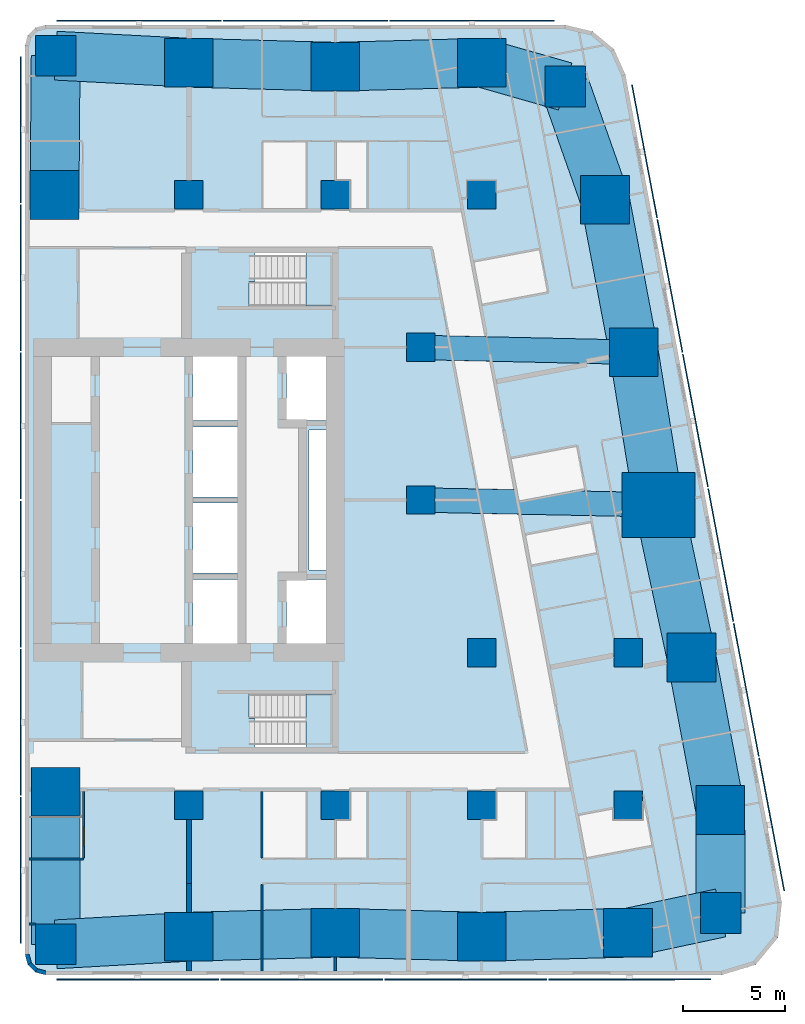
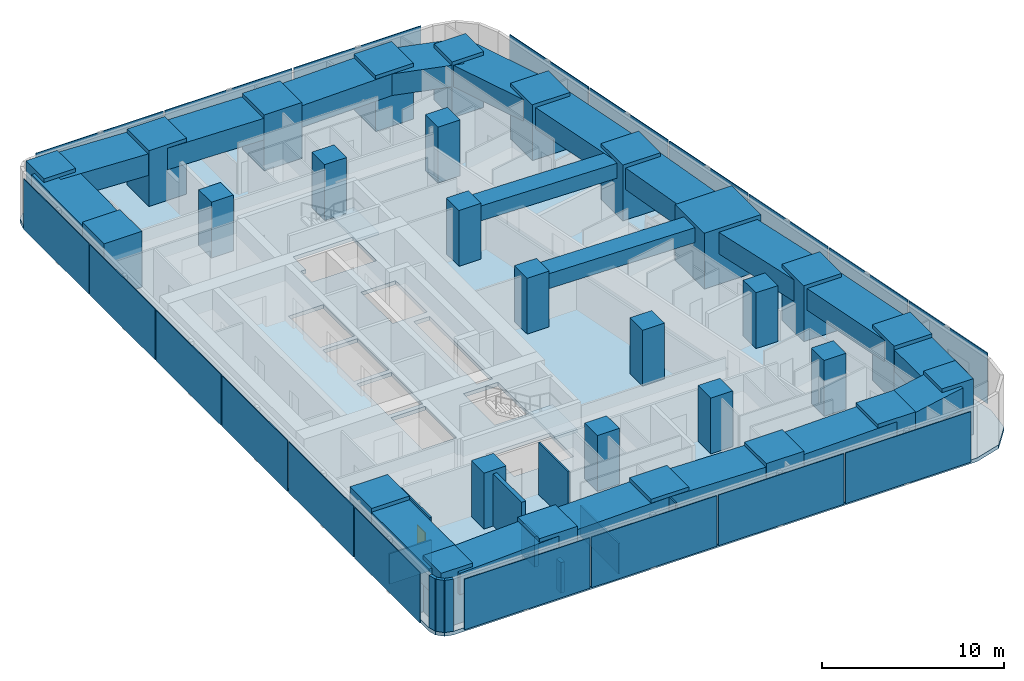
# One storey, part 1 of 10: 29 columns, 19 beams, 19 plates, 12 walls, 3 slabs, 1 door, 1 opening, 2 elements without a shape of their own.
"""IFC4 building model written with IfcOpenShell, lengths in metres."""

from ifc_helpers import new_model, si_unit, direction, frame, frame_2d, origin, origin_2d, place, context, subcontext, project, spatial, polyline, rectangle, outline, extrude, material, layer, layer_set, material_profile, profile_set, type_object, element, fill, aggregate, save


model = new_model("IFC4")

# Units and contexts
model_context = context("Model", 3, precision=1e-05, world=origin(), true_north=direction((0.0, 1.0)))
body_context = subcontext(model_context, "Body", "Model", "MODEL_VIEW")
ifc_project = project(units=[si_unit("LENGTHUNIT", "METRE"), si_unit("AREAUNIT", "SQUARE_METRE"), si_unit("VOLUMEUNIT", "CUBIC_METRE"), si_unit("PLANEANGLEUNIT", "RADIAN"), si_unit("MASSUNIT", "GRAM", prefix="KILO")], contexts=[model_context])

# Site, building, storey
site_placement = place(None, origin())
site = spatial("IfcSite", under=ifc_project, at=site_placement, CompositionType="ELEMENT")
building_placement = place(site_placement, origin())
building = spatial("IfcBuilding", under=site, at=building_placement, Name="Sheger Commons Tower", CompositionType="ELEMENT")
storey_placement = place(building_placement, frame((0.0, 0.0, 234.949951171875)))
storey = spatial("IfcBuildingStorey", under=building, at=storey_placement, Name="L60", CompositionType="ELEMENT", Elevation=234.949951171875)

# Columns
ifc_material_1 = material(Name="Concrete C50/60", Category="concrete")
ifc_material_profile_1 = material_profile(ifc_material_1, rectangle(XDim=3.60009765625, YDim=3.199951171875, at=origin_2d()), Name="RC 3600x3200")
ifc_profile_set_1 = profile_set([ifc_material_profile_1], Name="Concrete C50/60")
column_type_1 = type_object("IfcColumnType", Name="COLUMN PIER RC 3600x3200", PredefinedType="COLUMN", material=ifc_profile_set_1)
column_placement = place(storey_placement, frame((44.697021484375, 22.262939453125, 0.0), z_axis=(0.0, 0.0, 1.0), x_axis=(1.0, 0.0, 0.0)))
element("IfcColumn", 1, at=column_placement, inside=storey, type_object=column_type_1, Name="Pier 7/D+E/D L60", PredefinedType="COLUMN", context=body_context, shape_type="SweptSolid", body=[
    extrude(rectangle(XDim=3.60009765625, YDim=3.199951171875, at=origin_2d()), origin(), (0.0, 0.0, 1.0), 3.75),
])
ifc_material_2 = material(Name="Concrete C50/60", Category="concrete")
ifc_material_profile_2 = material_profile(ifc_material_2, rectangle(XDim=1.39990234375, YDim=1.39990234375, at=origin_2d()), Name="RC 1400x1400")
ifc_profile_set_2 = profile_set([ifc_material_profile_2], Name="Concrete C50/60")
column_type_2 = type_object("IfcColumnType", Name="COLUMN RC 1400x1400", PredefinedType="COLUMN", material=ifc_profile_set_2)
for number, where, z_axis, x_axis, name in (
    (2, (21.60009765625, 7.5, 0.0), (0.0, 0.0, 1.0), (1.0, 0.0, 0.0), "Column 4/B L60"),
    (3, (28.800048828125, 7.5, 0.0), (0.0, 0.0, 1.0), (1.0, 0.0, 0.0), "Column 5/B L60"),
    (4, (36.0, 7.5, 0.0), (0.0, 0.0, 1.0), (1.0, 0.0, 0.0), "Column 6/B L60"),
    (5, (43.199951171875, 7.5, 0.0), (0.0, 0.0, 1.0), (1.0, 0.0, 0.0), "Column 7/B L60"),
    (6, (36.0, 15.0, 0.0), (0.0, 0.0, 1.0), (1.0, 0.0, 0.0), "Column 6/C L60"),
    (7, (43.199951171875, 15.0, 0.0), (0.0, 0.0, 1.0), (1.0, 0.0, 0.0), "Column 7/C L60"),
    (8, (33.0, 22.5, 0.0), (0.0, 0.0, 1.0), (1.0, 0.0, 0.0), "Column 6-3000/D L60"),
    (9, (33.0, 30.0, 0.0), (0.0, 0.0, 1.0), (1.0, 0.0, 0.0), "Column 6-3000/E L60"),
    (10, (21.60009765625, 37.5, 0.0), (0.0, 0.0, 1.0), (1.0, 0.0, 0.0), "Column 4/F L60"),
    (11, (28.800048828125, 37.5, 0.0), (0.0, 0.0, 1.0), (1.0, 0.0, 0.0), "Column 5/F L60"),
    (12, (36.0, 37.5, 0.0), (0.0, 0.0, 1.0), (1.0, 0.0, 0.0), "Column 6/F L60"),
):
    element("IfcColumn", number, at=place(storey_placement, frame(where, z_axis=z_axis, x_axis=x_axis)), inside=storey, type_object=column_type_2, Name=name, PredefinedType="COLUMN", context=body_context, shape_type="SweptSolid", body=[
        extrude(rectangle(XDim=1.39990234375, YDim=1.39990234375, at=origin_2d()), origin(), (0.0, 0.0, 1.0), 3.75),
    ])
ifc_material_3 = material(Name="Concrete C50/60", Category="concrete")
ifc_material_profile_3 = material_profile(ifc_material_3, rectangle(XDim=2.0, YDim=2.0, at=origin_2d()), Name="RC 2000x2000")
ifc_profile_set_3 = profile_set([ifc_material_profile_3], Name="Concrete C50/60")
column_type_3 = type_object("IfcColumnType", Name="COLUMN RC 2000x2000", PredefinedType="COLUMN", material=ifc_profile_set_3)
for number, where, z_axis, x_axis, name in (
    (13, (15.053955078125, 0.654052734375, 0.0), (0.0, 0.0, 1.0), (1.0, 0.0, 0.0), "Column 3/A L60"),
    (14, (47.748046875, 2.197021484375, 0.0), (0.0, 0.0, 1.0), (1.0, 0.0, 0.0), "Column 49.461,0.778 L60"),
    (15, (40.10205078125, 42.830078125, 0.0), (0.0, 0.0, 1.0), (1.0, 0.0, 0.0), "Column 41.490,44.505 L60"),
    (16, (15.053955078125, 44.345947265625, 0.0), (0.0, 0.0, 1.0), (1.0, 0.0, 0.0), "Column 3/G L60"),
):
    element("IfcColumn", number, at=place(storey_placement, frame(where, z_axis=z_axis, x_axis=x_axis)), inside=storey, type_object=column_type_3, Name=name, PredefinedType="COLUMN", context=body_context, shape_type="SweptSolid", body=[
        extrude(rectangle(XDim=2.0, YDim=2.0, at=origin_2d()), origin(), (0.0, 0.0, 1.0), 3.75),
    ])
ifc_material_4 = material(Name="Concrete C50/60", Category="concrete")
ifc_material_profile_4 = material_profile(ifc_material_4, rectangle(XDim=2.39990234375, YDim=2.39990234375, at=origin_2d()), Name="RC 2400x2400")
ifc_profile_set_4 = profile_set([ifc_material_profile_4], Name="Concrete C50/60")
column_type_4 = type_object("IfcColumnType", Name="COLUMN RC 2400x2400", PredefinedType="COLUMN", material=ifc_profile_set_4)
for number, where, z_axis, x_axis, name in (
    (17, (21.60009765625, 1.02490234375, 0.0), (0.0, 0.0, 1.0), (1.0, 0.0, 0.0), "Column 4/A L60"),
    (18, (28.800048828125, 1.22509765625, 0.0), (0.0, 0.0, 1.0), (1.0, 0.0, 0.0), "Column 5/A L60"),
    (19, (36.0, 1.02490234375, 0.0), (0.0, 0.0, 1.0), (1.0, 0.0, 0.0), "Column 6/A L60"),
    (20, (43.199951171875, 1.22509765625, 0.0), (0.0, 0.0, 1.0), (1.0, 0.0, 0.0), "Column 7/A L60"),
    (21, (15.053955078125, 8.154052734375, 0.0), (0.0, 0.0, 1.0), (1.0, 0.0, 0.0), "Column 3/B L60"),
    (22, (47.72998046875, 7.262939453125, 0.0), (0.0, 0.0, 1.0), (1.0, 0.0, 0.0), "Column E/B L60"),
    (23, (46.31396484375, 14.762939453125, 0.0), (0.0, 0.0, 1.0), (1.0, 0.0, 0.0), "Column E/C L60"),
    (24, (43.47998046875, 29.762939453125, 0.0), (0.0, 0.0, 1.0), (1.0, 0.0, 0.0), "Column E/E L60"),
    (25, (15.0, 37.5, 0.0), (0.0, 0.0, 1.0), (1.0, 0.0, 0.0), "Column 3/F L60"),
    (26, (42.06396484375, 37.262939453125, 0.0), (0.0, 0.0, 1.0), (1.0, 0.0, 0.0), "Column E/F L60"),
    (27, (21.60009765625, 44.0, 0.0), (0.0, 0.0, 1.0), (1.0, 0.0, 0.0), "Column 4/G L60"),
    (28, (28.800048828125, 43.800048828125, 0.0), (0.0, 0.0, 1.0), (1.0, 0.0, 0.0), "Column 5/G L60"),
    (29, (36.0, 44.0, 0.0), (0.0, 0.0, 1.0), (1.0, 0.0, 0.0), "Column 6/G L60"),
):
    element("IfcColumn", number, at=place(storey_placement, frame(where, z_axis=z_axis, x_axis=x_axis)), inside=storey, type_object=column_type_4, Name=name, PredefinedType="COLUMN", context=body_context, shape_type="SweptSolid", body=[
        extrude(rectangle(XDim=2.39990234375, YDim=2.39990234375, at=origin_2d()), origin(), (0.0, 0.0, 1.0), 3.75),
    ])

# Beams
ifc_material_5 = material(Name="Concrete C50/60", Category="concrete")
ifc_material_profile_5 = material_profile(ifc_material_5, rectangle(XDim=1.199951171875, YDim=1.0, at=origin_2d()), Name="RC 1200x1000")
ifc_profile_set_5 = profile_set([ifc_material_profile_5], Name="Concrete C50/60")
beam_type_1 = type_object("IfcBeamType", Name="BEAM RC 1200x1000", PredefinedType="BEAM", material=ifc_profile_set_5)
beam_1_placement = place(storey_placement, frame((33.0, 22.5, 3.0), z_axis=(0.999794692776, -0.02026258368, 0.0), x_axis=(0.02026258368, 0.999794692776, 0.0)))
element("IfcBeam", 30, at=beam_1_placement, inside=storey, type_object=beam_type_1, Name="Beam 6-3000/D-7/D under L61", PredefinedType="BEAM", context=body_context, shape_type="SweptSolid", body=[
    extrude(rectangle(XDim=1.199951171875, YDim=1.0, at=origin_2d()), origin(), (0.0, 0.0, 1.0), 11.699462890625),
])
beam_2_placement = place(storey_placement, frame((33.0, 30.0, 3.0), z_axis=(0.999744258625, -0.022614538395, 0.0), x_axis=(0.022614538395, 0.999744258625, 0.0)))
element("IfcBeam", 31, at=beam_2_placement, inside=storey, type_object=beam_type_1, Name="Beam 6-3000/E-E/E under L61", PredefinedType="BEAM", context=body_context, shape_type="SweptSolid", body=[
    extrude(rectangle(XDim=1.199951171875, YDim=1.0, at=origin_2d()), origin(), (0.0, 0.0, 1.0), 10.482666015625),
])
ifc_material_6 = material(Name="Concrete C50/60", Category="concrete")
ifc_material_profile_6 = material_profile(ifc_material_6, rectangle(XDim=2.39990234375, YDim=1.449951171875, at=origin_2d()), Name="RC 2400x1450")
ifc_profile_set_6 = profile_set([ifc_material_profile_6], Name="Concrete C50/60")
beam_type_2 = type_object("IfcBeamType", Name="SPANDREL RC 2400x1450", PredefinedType="SPANDREL", material=ifc_profile_set_6)
beam_3_placement = place(storey_placement, frame((15.053955078125, 0.654052734375, 2.775146484375), z_axis=(0.998399149044, 0.056560933405, 0.0), x_axis=(-0.056560933405, 0.998399149044, 0.0)))
element("IfcBeam", 32, at=beam_3_placement, inside=storey, type_object=beam_type_2, Name="Beam 3/A-4/A under L61", PredefinedType="SPANDREL", context=body_context, shape_type="SweptSolid", body=[
    extrude(rectangle(XDim=2.39990234375, YDim=1.449951171875, at=origin_2d()), origin(), (0.0, 0.0, 1.0), 6.556640625),
])
for number, where, z_axis, x_axis, name in (
    (33, (21.60009765625, 1.02490234375, 2.775146484375), (0.9996136624, 0.027794350926, 0.0), (-0.027794350926, 0.9996136624, 0.0), "Beam 4/A-5/A under L61"),
    (34, (28.800048828125, 1.22509765625, 2.775146484375), (0.9996136624, -0.027794350926, 0.0), (0.027794350926, 0.9996136624, 0.0), "Beam 5/A-6/A under L61"),
    (35, (36.0, 1.02490234375, 2.775146484375), (0.9996136624, 0.027794350926, 0.0), (-0.027794350926, 0.9996136624, 0.0), "Beam 6/A-7/A under L61"),
):
    element("IfcBeam", number, at=place(storey_placement, frame(where, z_axis=z_axis, x_axis=x_axis)), inside=storey, type_object=beam_type_2, Name=name, PredefinedType="SPANDREL", context=body_context, shape_type="SweptSolid", body=[
        extrude(rectangle(XDim=2.39990234375, YDim=1.449951171875, at=origin_2d()), origin(), (0.0, 0.0, 1.0), 7.20263671875),
    ])
beam_4_placement = place(storey_placement, frame((43.199951171875, 1.22509765625, 2.775146484375), z_axis=(0.977919796671, 0.208980552394, 0.0), x_axis=(-0.208980552394, 0.977919796671, 0.0)))
element("IfcBeam", 36, at=beam_4_placement, inside=storey, type_object=beam_type_2, Name="Beam 7/A-49.461,0.778 under L61", PredefinedType="SPANDREL", context=body_context, shape_type="SweptSolid", body=[
    extrude(rectangle(XDim=2.39990234375, YDim=1.449951171875, at=origin_2d()), origin(), (0.0, 0.0, 1.0), 4.65087890625),
])
beam_5_placement = place(storey_placement, frame((47.748046875, 2.197021484375, 2.775146484375), z_axis=(-0.003566242382, 0.999993640937, 0.0), x_axis=(-0.999993640937, -0.003566242382, 0.0)))
element("IfcBeam", 37, at=beam_5_placement, inside=storey, type_object=beam_type_2, Name="Beam 49.461,0.778-E/B under L61", PredefinedType="SPANDREL", context=body_context, shape_type="SweptSolid", body=[
    extrude(rectangle(XDim=2.39990234375, YDim=1.449951171875, at=origin_2d()), origin(), (0.0, 0.0, 1.0), 5.06591796875),
])
beam_6_placement = place(storey_placement, frame((47.72998046875, 7.262939453125, 2.775146484375), z_axis=(-0.18552441405, 0.982639655108, 0.0), x_axis=(-0.982639655108, -0.18552441405, 0.0)))
element("IfcBeam", 38, at=beam_6_placement, inside=storey, type_object=beam_type_2, Name="Beam E/B-E/C under L61", PredefinedType="SPANDREL", context=body_context, shape_type="SweptSolid", body=[
    extrude(rectangle(XDim=2.39990234375, YDim=1.449951171875, at=origin_2d()), origin(), (0.0, 0.0, 1.0), 7.632568359375),
])
beam_7_placement = place(storey_placement, frame((46.31396484375, 14.762939453125, 2.775146484375), z_axis=(-0.210750229323, 0.977539943348, 0.0), x_axis=(-0.977539943348, -0.210750229323, 0.0)))
element("IfcBeam", 39, at=beam_7_placement, inside=storey, type_object=beam_type_2, Name="Beam E/C-E/D under L61", PredefinedType="SPANDREL", context=body_context, shape_type="SweptSolid", body=[
    extrude(rectangle(XDim=2.39990234375, YDim=1.449951171875, at=origin_2d()), origin(), (0.0, 0.0, 1.0), 7.67236328125),
])
beam_8_placement = place(storey_placement, frame((44.697021484375, 22.262939453125, 2.775146484375), z_axis=(-0.160176929512, 0.987088319884, 0.0), x_axis=(-0.987088319884, -0.160176929512, 0.0)))
element("IfcBeam", 40, at=beam_8_placement, inside=storey, type_object=beam_type_2, Name="Beam E/D-E/E under L61", PredefinedType="SPANDREL", context=body_context, shape_type="SweptSolid", body=[
    extrude(rectangle(XDim=2.39990234375, YDim=1.449951171875, at=origin_2d()), origin(), (0.0, 0.0, 1.0), 7.59814453125),
])
beam_9_placement = place(storey_placement, frame((43.47998046875, 29.762939453125, 2.775146484375), z_axis=(-0.18552441405, 0.982639655108, 0.0), x_axis=(-0.982639655108, -0.18552441405, 0.0)))
element("IfcBeam", 41, at=beam_9_placement, inside=storey, type_object=beam_type_2, Name="Beam E/E-E/F under L61", PredefinedType="SPANDREL", context=body_context, shape_type="SweptSolid", body=[
    extrude(rectangle(XDim=2.39990234375, YDim=1.449951171875, at=origin_2d()), origin(), (0.0, 0.0, 1.0), 7.632568359375),
])
beam_10_placement = place(storey_placement, frame((42.06396484375, 37.262939453125, 2.775146484375), z_axis=(-0.332374403357, 0.943147526102, 0.0), x_axis=(-0.943147526102, -0.332374403357, 0.0)))
element("IfcBeam", 42, at=beam_10_placement, inside=storey, type_object=beam_type_2, Name="Beam E/F-41.490,44.505 under L61", PredefinedType="SPANDREL", context=body_context, shape_type="SweptSolid", body=[
    extrude(rectangle(XDim=2.39990234375, YDim=1.449951171875, at=origin_2d()), origin(), (0.0, 0.0, 1.0), 5.90283203125),
])
beam_11_placement = place(storey_placement, frame((40.10205078125, 42.830078125, 2.775146484375), z_axis=(-0.961653428129, 0.274267541221, 0.0), x_axis=(-0.274267541221, -0.961653428129, 0.0)))
element("IfcBeam", 43, at=beam_11_placement, inside=storey, type_object=beam_type_2, Name="Beam 41.490,44.505-6/G under L61", PredefinedType="SPANDREL", context=body_context, shape_type="SweptSolid", body=[
    extrude(rectangle(XDim=2.39990234375, YDim=1.449951171875, at=origin_2d()), origin(), (0.0, 0.0, 1.0), 4.265625),
])
for number, where, z_axis, x_axis, name in (
    (44, (36.0, 44.0, 2.775146484375), (-0.999614603568, -0.027760481514, 0.0), (0.027760481514, -0.999614603568, 0.0), "Beam 6/G-5/G under L61"),
    (45, (28.800048828125, 43.800048828125, 2.775146484375), (-0.999614603568, 0.027760481514, 0.0), (-0.027760481514, -0.999614603568, 0.0), "Beam 5/G-4/G under L61"),
):
    element("IfcBeam", number, at=place(storey_placement, frame(where, z_axis=z_axis, x_axis=x_axis)), inside=storey, type_object=beam_type_2, Name=name, PredefinedType="SPANDREL", context=body_context, shape_type="SweptSolid", body=[
        extrude(rectangle(XDim=2.39990234375, YDim=1.449951171875, at=origin_2d()), origin(), (0.0, 0.0, 1.0), 7.20263671875),
    ])
beam_12_placement = place(storey_placement, frame((21.60009765625, 44.0, 2.775146484375), z_axis=(-0.998606489137, 0.052773855783, 0.0), x_axis=(-0.052773855783, -0.998606489137, 0.0)))
element("IfcBeam", 46, at=beam_12_placement, inside=storey, type_object=beam_type_2, Name="Beam 4/G-3/G under L61", PredefinedType="SPANDREL", context=body_context, shape_type="SweptSolid", body=[
    extrude(rectangle(XDim=2.39990234375, YDim=1.449951171875, at=origin_2d()), origin(), (0.0, 0.0, 1.0), 6.55517578125),
])
beam_13_placement = place(storey_placement, frame((15.053955078125, 44.345947265625, 2.775146484375), z_axis=(-0.00788107188, -0.999968943871, 0.0), x_axis=(0.999968943871, -0.00788107188, 0.0)))
element("IfcBeam", 47, at=beam_13_placement, inside=storey, type_object=beam_type_2, Name="Beam 3/G-3/F under L61", PredefinedType="SPANDREL", context=body_context, shape_type="SweptSolid", body=[
    extrude(rectangle(XDim=2.39990234375, YDim=1.449951171875, at=origin_2d()), origin(), (0.0, 0.0, 1.0), 6.84619140625),
])
beam_14_placement = place(storey_placement, frame((15.053955078125, 8.154052734375, 2.775146484375), z_axis=(0.0, -1.0, 0.0), x_axis=(1.0, 0.0, 0.0)))
element("IfcBeam", 48, at=beam_14_placement, inside=storey, type_object=beam_type_2, Name="Beam 3/B-3/A under L61", PredefinedType="SPANDREL", context=body_context, shape_type="SweptSolid", body=[
    extrude(rectangle(XDim=2.39990234375, YDim=1.449951171875, at=origin_2d()), origin(), (0.0, 0.0, 1.0), 7.5),
])

# Slab
ifc_material_7 = material(Name="Concrete C35/45", Category="concrete")
ifc_layer_1 = layer(ifc_material_7, 0.25)
ifc_layer_set_1 = layer_set([ifc_layer_1], Name="SLAB FLOOR 250")
slab_type_1 = type_object("IfcSlabType", Name="SLAB FLOOR 250", PredefinedType="FLOOR", material=ifc_layer_set_1)
slab_1_placement = place(storey_placement, frame((0.0, 0.0, -0.25)))
element("IfcSlab", 49, at=slab_1_placement, inside=storey, type_object=slab_type_1, Name="L60 floor slab", PredefinedType="FLOOR", context=body_context, shape_type="SweptSolid", body=[
    extrude(outline(polyline([(13.550048828125, 0.14990234375), (13.68408203125, -0.35009765625), (14.050048828125, -0.716064453125), (14.550048828125, -0.85009765625), (47.805908203125, -0.85009765625), (49.465087890625, -0.35009765625), (50.570068359375, 0.98388671875), (50.75390625, 2.70703125), (43.06591796875, 43.406982421875), (42.509033203125, 44.660888671875), (41.452880859375, 45.535888671875), (40.117919921875, 45.85009765625), (14.550048828125, 45.85009765625), (14.050048828125, 45.716064453125), (13.68408203125, 45.35009765625), (13.550048828125, 44.85009765625), (13.550048828125, 0.14990234375)]), holes=[polyline([(24.85009765625, 10.35009765625), (28.64990234375, 10.35009765625), (28.64990234375, 12.949951171875), (24.551025390625, 12.949951171875), (24.551025390625, 11.75), (24.85009765625, 11.75), (24.85009765625, 10.35009765625)]), polyline([(24.551025390625, 32.050048828125), (28.64990234375, 32.050048828125), (28.64990234375, 34.64990234375), (24.85009765625, 34.64990234375), (24.85009765625, 33.25), (24.551025390625, 33.25), (24.551025390625, 32.050048828125)]), polyline([(26.39990234375, 15.14990234375), (28.60009765625, 15.14990234375), (28.60009765625, 18.60009765625), (26.39990234375, 18.60009765625), (26.39990234375, 15.14990234375)]), polyline([(26.39990234375, 26.39990234375), (28.60009765625, 26.39990234375), (28.60009765625, 29.85009765625), (26.39990234375, 29.85009765625), (26.39990234375, 26.39990234375)]), polyline([(21.800048828125, 15.14990234375), (24.0, 15.14990234375), (24.0, 18.60009765625), (21.800048828125, 18.60009765625), (21.800048828125, 15.14990234375)]), polyline([(21.800048828125, 18.89990234375), (24.0, 18.89990234375), (24.0, 22.35009765625), (21.800048828125, 22.35009765625), (21.800048828125, 18.89990234375)]), polyline([(21.800048828125, 22.64990234375), (24.0, 22.64990234375), (24.0, 26.10009765625), (21.800048828125, 26.10009765625), (21.800048828125, 22.64990234375)]), polyline([(21.800048828125, 26.39990234375), (24.0, 26.39990234375), (24.0, 29.85009765625), (21.800048828125, 29.85009765625), (21.800048828125, 26.39990234375)]), polyline([(27.5, 19.050048828125), (28.5, 19.050048828125), (28.5, 25.949951171875), (27.5, 25.949951171875), (27.5, 19.050048828125)])]), origin(), (0.0, 0.0, 1.0), 0.25),
])

# Plates
ifc_material_8 = material(Name="Perforated black anodised aluminium screen", Category="aluminium")
ifc_layer_2 = layer(ifc_material_8, 0.050048828125)
ifc_layer_set_2 = layer_set([ifc_layer_2], Name="SOLAR SCREEN SCREEN-1")
plate_type = type_object("IfcPlateType", Name="SOLAR SCREEN SCREEN-1", PredefinedType="USERDEFINED", material=ifc_layer_set_2)
for number, where, z_axis, x_axis, name in (
    (50, (19.08203125, -1.074951171875, 0.050048828125), (0.0, 0.0, 1.0), (1.0, 0.0, 0.0), "Perforated solar screen panel"),
    (51, (27.14599609375, -1.074951171875, 0.050048828125), (0.0, 0.0, 1.0), (1.0, 0.0, 0.0), "Perforated solar screen panel"),
    (52, (35.2099609375, -1.074951171875, 0.050048828125), (0.0, 0.0, 1.0), (1.0, 0.0, 0.0), "Perforated solar screen panel"),
    (53, (43.27392578125, -1.074951171875, 0.050048828125), (0.0, 0.0, 1.0), (1.0, 0.0, 0.0), "Perforated solar screen panel"),
):
    element("IfcPlate", number, at=place(storey_placement, frame(where, z_axis=z_axis, x_axis=x_axis)), inside=storey, type_object=plate_type, Name=name, ObjectType="SCREEN", PredefinedType="USERDEFINED", context=body_context, shape_type="SweptSolid", body=[
        extrude(rectangle(XDim=7.964111328125, YDim=0.050048828125, at=origin_2d()), origin(), (0.0, 0.0, 1.0), 3.39990234375),
    ])
for number, where, z_axis, x_axis, name in (
    (54, (50.257080078125, 6.550048828125, 0.050048828125), (0.0, 0.0, 1.0), (-0.185615165645, 0.982622516678, 0.0), "Perforated solar screen panel"),
    (55, (49.007080078125, 13.1689453125, 0.050048828125), (0.0, 0.0, 1.0), (-0.185615165645, 0.982622516678, 0.0), "Perforated solar screen panel"),
    (56, (47.756103515625, 19.7890625, 0.050048828125), (0.0, 0.0, 1.0), (-0.185615165645, 0.982622516678, 0.0), "Perforated solar screen panel"),
    (57, (46.506103515625, 26.408935546875, 0.050048828125), (0.0, 0.0, 1.0), (-0.185615165645, 0.982622516678, 0.0), "Perforated solar screen panel"),
    (58, (45.2548828125, 33.028076171875, 0.050048828125), (0.0, 0.0, 1.0), (-0.185615165645, 0.982622516678, 0.0), "Perforated solar screen panel"),
    (59, (44.0048828125, 39.64794921875, 0.050048828125), (0.0, 0.0, 1.0), (-0.185615165645, 0.982622516678, 0.0), "Perforated solar screen panel"),
):
    element("IfcPlate", number, at=place(storey_placement, frame(where, z_axis=z_axis, x_axis=x_axis)), inside=storey, type_object=plate_type, Name=name, ObjectType="SCREEN", PredefinedType="USERDEFINED", context=body_context, shape_type="SweptSolid", body=[
        extrude(rectangle(XDim=6.636962890625, YDim=0.050048828125, at=origin_2d()), origin(), (0.0, 0.0, 1.0), 3.39990234375),
    ])
for number, where, z_axis, x_axis, name in (
    (60, (35.52294921875, 46.074951171875, 0.050048828125), (0.0, 0.0, 1.0), (-1.0, 0.0, 0.0), "Perforated solar screen panel"),
    (61, (27.333984375, 46.074951171875, 0.050048828125), (0.0, 0.0, 1.0), (-1.0, 0.0, 0.0), "Perforated solar screen panel"),
    (62, (19.14501953125, 46.074951171875, 0.050048828125), (0.0, 0.0, 1.0), (-1.0, 0.0, 0.0), "Perforated solar screen panel"),
):
    element("IfcPlate", number, at=place(storey_placement, frame(where, z_axis=z_axis, x_axis=x_axis)), inside=storey, type_object=plate_type, Name=name, ObjectType="SCREEN", PredefinedType="USERDEFINED", context=body_context, shape_type="SweptSolid", body=[
        extrude(rectangle(XDim=8.089111328125, YDim=0.050048828125, at=origin_2d()), origin(), (0.0, 0.0, 1.0), 3.39990234375),
    ])
for number, where, z_axis, x_axis, name in (
    (63, (13.324951171875, 40.7080078125, 0.050048828125), (0.0, 0.0, 1.0), (0.0, -1.0, 0.0), "Perforated solar screen panel"),
    (64, (13.324951171875, 33.425048828125, 0.050048828125), (0.0, 0.0, 1.0), (0.0, -1.0, 0.0), "Perforated solar screen panel"),
    (65, (13.324951171875, 26.14208984375, 0.050048828125), (0.0, 0.0, 1.0), (0.0, -1.0, 0.0), "Perforated solar screen panel"),
    (66, (13.324951171875, 18.85791015625, 0.050048828125), (0.0, 0.0, 1.0), (0.0, -1.0, 0.0), "Perforated solar screen panel"),
    (67, (13.324951171875, 11.574951171875, 0.050048828125), (0.0, 0.0, 1.0), (0.0, -1.0, 0.0), "Perforated solar screen panel"),
    (68, (13.324951171875, 4.2919921875, 0.050048828125), (0.0, 0.0, 1.0), (0.0, -1.0, 0.0), "Perforated solar screen panel"),
):
    element("IfcPlate", number, at=place(storey_placement, frame(where, z_axis=z_axis, x_axis=x_axis)), inside=storey, type_object=plate_type, Name=name, ObjectType="SCREEN", PredefinedType="USERDEFINED", context=body_context, shape_type="SweptSolid", body=[
        extrude(rectangle(XDim=7.18310546875, YDim=0.050048828125, at=origin_2d()), origin(), (0.0, 0.0, 1.0), 3.39990234375),
    ])

# Stair, slab
ifc_material_9 = material(Name="Concrete C35/45", Category="concrete")
stair_type = type_object("IfcStairType", Name="HALF-TURN STAIR 1200 RISE 3750", PredefinedType="HALF_TURN_STAIR", material=ifc_material_9)
stair_1_placement = place(storey_placement, origin())
stair_1 = element("IfcStair", 69, at=stair_1_placement, inside=storey, type_object=stair_type, Name="Stair S1 L60", PredefinedType="HALF_TURN_STAIR")
ifc_material_10 = material(Name="Concrete C35/45", Category="concrete")
ifc_layer_3 = layer(ifc_material_10, 0.199951171875)
ifc_layer_set_3 = layer_set([ifc_layer_3], Name="STAIR LANDING 200")
slab_type_2 = type_object("IfcSlabType", Name="STAIR LANDING 200", PredefinedType="LANDING", material=ifc_layer_set_3)
slab_2_placement = place(storey_placement, frame((0.0, 0.0, 1.675048828125)))
slab_2 = element("IfcSlab", 70, at=slab_2_placement, type_object=slab_type_2, Name="S1 landing 1", PredefinedType="LANDING", context=body_context, shape_type="SweptSolid", body=[
    extrude(outline(polyline([(27.35009765625, 10.199951171875), (28.800048828125, 10.199951171875), (28.800048828125, 12.949951171875), (27.35009765625, 12.949951171875), (27.35009765625, 10.199951171875)])), origin(), (0.0, 0.0, 1.0), 0.199951171875),
])
aggregate(stair_1, [slab_2])

stair_2_placement = place(storey_placement, origin())
stair_2 = element("IfcStair", 71, at=stair_2_placement, inside=storey, type_object=stair_type, Name="Stair S2 L60", PredefinedType="HALF_TURN_STAIR")
slab_3_placement = place(storey_placement, frame((0.0, 0.0, 1.675048828125)))
slab_3 = element("IfcSlab", 72, at=slab_3_placement, type_object=slab_type_2, Name="S2 landing 1", PredefinedType="LANDING", context=body_context, shape_type="SweptSolid", body=[
    extrude(outline(polyline([(27.35009765625, 32.050048828125), (28.800048828125, 32.050048828125), (28.800048828125, 34.800048828125), (27.35009765625, 34.800048828125), (27.35009765625, 32.050048828125)])), origin(), (0.0, 0.0, 1.0), 0.199951171875),
])
aggregate(stair_2, [slab_3])

# Walls
ifc_material_11 = material(Name="Dense concrete block masonry, plastered both sides (separating wall between flats)", Category="masonry")
ifc_layer_4 = layer(ifc_material_11, 0.25)
ifc_layer_set_4 = layer_set([ifc_layer_4], Name="DEMISING WALL 250")
wall_type_1 = type_object("IfcWallType", Name="DEMISING WALL 250", PredefinedType="SOLIDWALL", material=ifc_layer_set_4)
wall_1_placement = place(storey_placement, frame((21.60009765625, -0.64990234375, 0.0), z_axis=(0.0, 0.0, 1.0), x_axis=(0.0, 1.0, 0.0)))
element("IfcWall", 73, at=wall_1_placement, inside=storey, type_object=wall_type_1, Name="Demising wall L60", PredefinedType="SOLIDWALL", context=body_context, shape_type="SweptSolid", body=[
    extrude(rectangle(XDim=0.473876953125, YDim=0.25, at=frame_2d((0.23681640625, 0.0))), origin(), (0.0, 0.0, 1.0), 2.050048828125),
])
wall_2_placement = place(storey_placement, frame((21.60009765625, 2.22607421875, 0.0), z_axis=(0.0, 0.0, 1.0), x_axis=(0.0, 1.0, 0.0)))
element("IfcWall", 74, at=wall_2_placement, inside=storey, type_object=wall_type_1, Name="Demising wall L60", PredefinedType="SOLIDWALL", context=body_context, shape_type="SweptSolid", body=[
    extrude(rectangle(XDim=1.423828125, YDim=0.25, at=frame_2d((0.7119140625, 0.0))), origin(), (0.0, 0.0, 1.0), 2.050048828125),
])
wall_3_placement = place(storey_placement, frame((21.60009765625, 3.64990234375, 0.0), z_axis=(0.0, 0.0, 1.0), x_axis=(0.0, 1.0, 0.0)))
element("IfcWall", 75, at=wall_3_placement, inside=storey, type_object=wall_type_1, Name="Demising wall L60", PredefinedType="SOLIDWALL", context=body_context, shape_type="SweptSolid", body=[
    extrude(rectangle(XDim=3.149169921875, YDim=0.25, at=frame_2d((1.57470703125, 0.0))), origin(), (0.0, 0.0, 1.0), 3.5),
])
ifc_material_12 = material(Name="Rendered concrete block masonry, dark grey", Category="masonry")
ifc_layer_5 = layer(ifc_material_12, 0.199951171875)
ifc_layer_set_5 = layer_set([ifc_layer_5], Name="FACADE WALL 200")
wall_type_2 = type_object("IfcWallType", Name="FACADE WALL 200", PredefinedType="SOLIDWALL", material=ifc_layer_set_5)
wall_4_placement = place(storey_placement, frame((13.64990234375, 0.1630859375, 0.0), z_axis=(0.0, 0.0, 1.0), x_axis=(0.259698463175, -0.965689757751, 0.0)))
element("IfcWall", 76, at=wall_4_placement, inside=storey, type_object=wall_type_2, Name="Facade wall L60", PredefinedType="SOLIDWALL", context=body_context, shape_type="SweptSolid", body=[
    extrude(rectangle(XDim=0.4775390625, YDim=0.199951171875, at=frame_2d((0.23876953125, 0.0))), origin(), (0.0, 0.0, 1.0), 3.5),
])
wall_5_placement = place(storey_placement, frame((13.77392578125, -0.298095703125, 0.0), z_axis=(0.0, 0.0, 1.0), x_axis=(0.707369890659, -0.706843573776, 0.0)))
element("IfcWall", 77, at=wall_5_placement, inside=storey, type_object=wall_type_2, Name="Facade wall L60", PredefinedType="SOLIDWALL", context=body_context, shape_type="SweptSolid", body=[
    extrude(rectangle(XDim=0.4638671875, YDim=0.199951171875, at=frame_2d((0.23193359375, 0.0))), origin(), (0.0, 0.0, 1.0), 3.5),
])
wall_6_placement = place(storey_placement, frame((14.10205078125, -0.6259765625, 0.0), z_axis=(0.0, 0.0, 1.0), x_axis=(0.965655254015, -0.259826731483, 0.0)))
element("IfcWall", 78, at=wall_6_placement, inside=storey, type_object=wall_type_2, Name="Facade wall L60", PredefinedType="SOLIDWALL", context=body_context, shape_type="SweptSolid", body=[
    extrude(rectangle(XDim=0.477294921875, YDim=0.199951171875, at=frame_2d((0.23876953125, 0.0))), origin(), (0.0, 0.0, 1.0), 3.5),
])
ifc_material_13 = material(Name="Gypsum board on steel studs", Category="steel")
ifc_layer_6 = layer(ifc_material_13, 0.10009765625)
ifc_layer_set_6 = layer_set([ifc_layer_6], Name="PARTITION 100")
wall_type_3 = type_object("IfcWallType", Name="PARTITION 100", PredefinedType="PARTITIONING", material=ifc_layer_set_6)
wall_7_placement = place(storey_placement, frame((13.75, 1.654052734375, 0.0), z_axis=(0.0, 0.0, 1.0), x_axis=(1.0, 0.0, 0.0)))
element("IfcWall", 79, at=wall_7_placement, inside=storey, type_object=wall_type_3, Name="Partition L60", PredefinedType="PARTITIONING", context=body_context, shape_type="SweptSolid", body=[
    extrude(rectangle(XDim=0.303955078125, YDim=0.10009765625, at=frame_2d((0.15185546875, 0.0))), origin(), (0.0, 0.0, 1.0), 2.050048828125),
])
wall_8_placement = place(storey_placement, frame((16.428955078125, 4.85009765625, 0.0), z_axis=(0.0, 0.0, 1.0), x_axis=(-1.0, 0.0, 0.0)))
element("IfcWall", 80, at=wall_8_placement, inside=storey, type_object=wall_type_3, Name="Partition L60", PredefinedType="PARTITIONING", context=body_context, shape_type="SweptSolid", body=[
    extrude(rectangle(XDim=2.678955078125, YDim=0.10009765625, at=frame_2d((1.33935546875, 0.0))), origin(), (0.0, 0.0, 1.0), 2.050048828125),
])

# Wall, opening, door
wall_9_placement = place(storey_placement, frame((16.428955078125, 4.89990234375, 0.0), z_axis=(0.0, 0.0, 1.0), x_axis=(0.0, 1.0, 0.0)))
wall_9 = element("IfcWall", 81, at=wall_9_placement, inside=storey, type_object=wall_type_3, Name="Partition L60", PredefinedType="PARTITIONING", context=body_context, shape_type="SweptSolid", body=[
    extrude(rectangle(XDim=3.275146484375, YDim=0.10009765625, at=frame_2d((1.6376953125, 0.0))), origin(), (0.0, 0.0, 1.0), 3.5),
])
opening_placement = place(wall_9_placement, frame((0.60009765625, 0.0, 0.0)))
opening = element("IfcOpeningElement", 82, at=opening_placement, cuts=wall_9, Name="Opening D2", PredefinedType="OPENING", context=body_context, shape_type="SweptSolid", body=[
    extrude(rectangle(XDim=0.89990234375, YDim=2.10009765625, at=frame_2d((0.449951171875, 1.050048828125))), frame((0.0, 0.06005859375, 0.0), z_axis=(0.0, -1.0, 0.0), x_axis=(1.0, 0.0, 0.0)), (0.0, 0.0, 1.0), 0.1201171875),
])
ifc_material_14 = material(Name="Timber door set", Category="wood")
door_type = type_object("IfcDoorType", Name="INTERNAL DOOR 900x2100", OperationType="NOTDEFINED", PredefinedType="DOOR", material=ifc_material_14)
door_placement = place(opening_placement, origin())
door = element("IfcDoor", 83, at=door_placement, inside=storey, type_object=door_type, Name="Shower room door", OperationType="SINGLE_SWING_RIGHT", OverallHeight=2.10009765625, OverallWidth=0.89990234375, PredefinedType="DOOR", context=body_context, shape_type="SweptSolid", body=[
    extrude(rectangle(XDim=0.89990234375, YDim=2.10009765625, at=frame_2d((0.449951171875, 1.050048828125))), frame((0.0, 0.02490234375, 0.0), z_axis=(0.0, -1.0, 0.0), x_axis=(1.0, 0.0, 0.0)), (0.0, 0.0, 1.0), 0.050048828125),
])
fill(opening, door)

# Walls
wall_10_placement = place(storey_placement, frame((25.199951171875, -0.64990234375, 0.0), z_axis=(0.0, 0.0, 1.0), x_axis=(0.0, 1.0, 0.0)))
element("IfcWall", 84, at=wall_10_placement, inside=storey, type_object=wall_type_3, Name="Partition L60", PredefinedType="PARTITIONING", context=body_context, shape_type="SweptSolid", body=[
    extrude(rectangle(XDim=4.25, YDim=0.10009765625, at=frame_2d((2.125, 0.0))), origin(), (0.0, 0.0, 1.0), 2.050048828125),
])
wall_11_placement = place(storey_placement, frame((28.800048828125, -0.64990234375, 0.0), z_axis=(0.0, 0.0, 1.0), x_axis=(0.0, 1.0, 0.0)))
element("IfcWall", 85, at=wall_11_placement, inside=storey, type_object=wall_type_3, Name="Partition L60", PredefinedType="PARTITIONING", context=body_context, shape_type="SweptSolid", body=[
    extrude(rectangle(XDim=0.673828125, YDim=0.10009765625, at=frame_2d((0.3369140625, 0.0))), origin(), (0.0, 0.0, 1.0), 3.5),
])
wall_12_placement = place(storey_placement, frame((25.199951171875, 4.89990234375, 0.0), z_axis=(0.0, 0.0, 1.0), x_axis=(0.0, 1.0, 0.0)))
element("IfcWall", 86, at=wall_12_placement, inside=storey, type_object=wall_type_3, Name="Partition L60", PredefinedType="PARTITIONING", context=body_context, shape_type="SweptSolid", body=[
    extrude(rectangle(XDim=3.275146484375, YDim=0.10009765625, at=frame_2d((1.6376953125, 0.0))), origin(), (0.0, 0.0, 1.0), 3.5),
])

save(model, "model.ifc")
